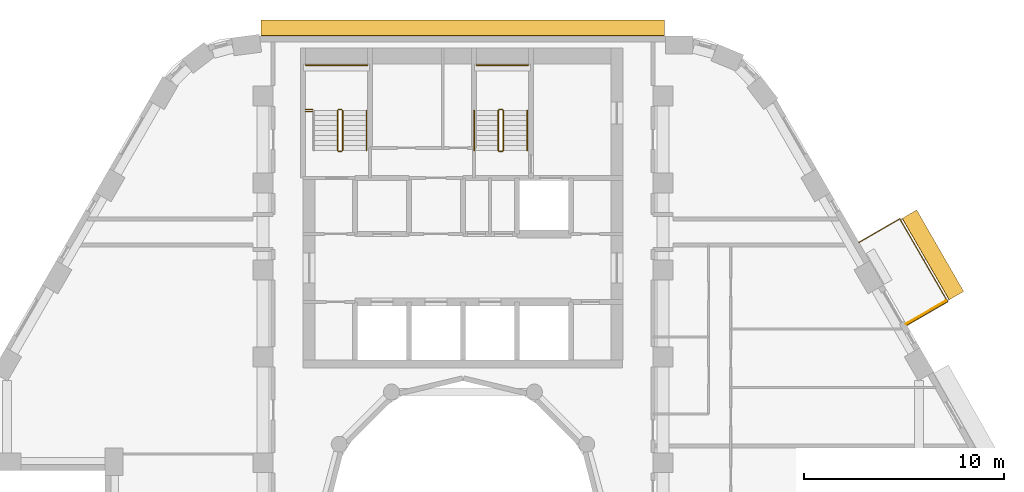
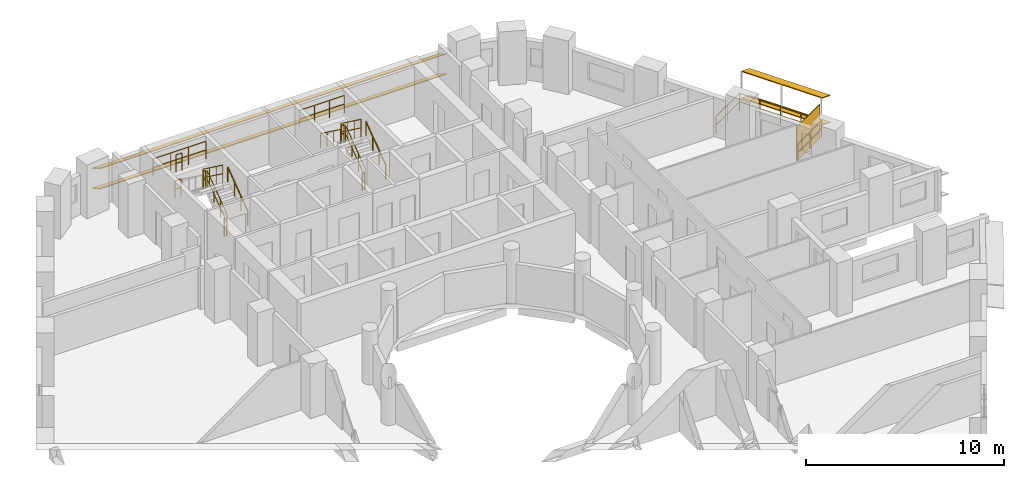
# One storey, part 13 of 13: 16 railings, 5 shading devices.
"""IFC4 building model written with IfcOpenShell, lengths in metres."""

from ifc_helpers import new_model, si_unit, direction, frame, origin, origin_2d, place, context, subcontext, project, spatial, rectangle, circle, extrude, material, layer, layer_set, material_profile, profile_set, type_object, element, save


model = new_model("IFC4")

# Units and contexts
model_context = context("Model", 3, precision=1e-05, world=origin(), true_north=direction((0.0, 1.0)))
body_context = subcontext(model_context, "Body", "Model", "MODEL_VIEW")
ifc_project = project(units=[si_unit("LENGTHUNIT", "METRE"), si_unit("AREAUNIT", "SQUARE_METRE"), si_unit("VOLUMEUNIT", "CUBIC_METRE"), si_unit("PLANEANGLEUNIT", "RADIAN"), si_unit("MASSUNIT", "GRAM", prefix="KILO")], contexts=[model_context])

# Site, building, storey
site_placement = place(None, origin())
site = spatial("IfcSite", under=ifc_project, at=site_placement, CompositionType="ELEMENT")
building_placement = place(site_placement, origin())
building = spatial("IfcBuilding", under=site, at=building_placement, Name="Nakaniwa Court", CompositionType="ELEMENT")
storey_placement = place(building_placement, frame((0.0, 0.0, 81.0)))
storey = spatial("IfcBuildingStorey", under=building, at=storey_placement, Name="L20", CompositionType="ELEMENT", Elevation=81.0)

# Railing
ifc_material_1 = material(Name="Black powder-coated steel flat bar balustrade S275", Category="steel")
railing_type_1 = type_object("IfcRailingType", Name="Black metal balcony guard 1100", PredefinedType="GUARDRAIL", material=ifc_material_1)
railing_1_placement = place(storey_placement, frame((102.210693359375, 89.530029296875, -0.050048828125)))
element("IfcRailing", 1, at=railing_1_placement, inside=storey, type_object=railing_type_1, Name="L20 balcony guard 01", PredefinedType="GUARDRAIL", context=body_context, shape_type="SweptSolid", body=[
    extrude(circle(Radius=0.02392578125, at=origin_2d()), frame((0.0, 0.0, 1.076171875), z_axis=(0.865980564943, 0.500077655111, 0.0), x_axis=(-0.500077655111, 0.865980564943, 0.0)), (0.0, 0.0, 1.0), 2.35986328125),
    extrude(circle(Radius=0.02392578125, at=origin_2d()), frame((0.0, 0.0, 0.550048828125), z_axis=(0.865980564943, 0.500077655111, 0.0), x_axis=(-0.500077655111, 0.865980564943, 0.0)), (0.0, 0.0, 1.0), 2.35986328125),
    extrude(circle(Radius=0.02392578125, at=origin_2d()), frame((2.043701171875, 1.18017578125, 1.076171875), z_axis=(-0.500006494744, 0.86602165401, 0.0), x_axis=(-0.86602165401, -0.500006494744, 0.0)), (0.0, 0.0, 1.0), 4.78662109375),
    extrude(circle(Radius=0.02392578125, at=origin_2d()), frame((2.043701171875, 1.18017578125, 0.550048828125), z_axis=(-0.500006494744, 0.86602165401, 0.0), x_axis=(-0.86602165401, -0.500006494744, 0.0)), (0.0, 0.0, 1.0), 4.78662109375),
    extrude(circle(Radius=0.02392578125, at=origin_2d()), frame((-0.349609375, 5.325439453125, 1.076171875), z_axis=(-0.865980564943, -0.500077655111, 0.0), x_axis=(0.500077655111, -0.865980564943, 0.0)), (0.0, 0.0, 1.0), 2.35986328125),
    extrude(circle(Radius=0.02392578125, at=origin_2d()), frame((-0.349609375, 5.325439453125, 0.550048828125), z_axis=(-0.865980564943, -0.500077655111, 0.0), x_axis=(0.500077655111, -0.865980564943, 0.0)), (0.0, 0.0, 1.0), 2.35986328125),
    extrude(circle(Radius=0.02099609375, at=origin_2d()), origin(), (0.0, 0.0, 1.0), 1.052001953125),
    extrude(circle(Radius=0.02099609375, at=origin_2d()), frame((1.02197265625, 0.590087890625, 0.0)), (0.0, 0.0, 1.0), 1.052001953125),
    extrude(circle(Radius=0.02099609375, at=origin_2d()), frame((2.043701171875, 1.18017578125, 0.0)), (0.0, 0.0, 1.0), 1.052001953125),
    extrude(circle(Radius=0.02099609375, at=origin_2d()), frame((1.4453125, 2.216552734375, 0.0)), (0.0, 0.0, 1.0), 1.052001953125),
    extrude(circle(Radius=0.02099609375, at=origin_2d()), frame((0.84716796875, 3.2529296875, 0.0)), (0.0, 0.0, 1.0), 1.052001953125),
    extrude(circle(Radius=0.02099609375, at=origin_2d()), frame((0.248779296875, 4.2890625, 0.0)), (0.0, 0.0, 1.0), 1.052001953125),
    extrude(circle(Radius=0.02099609375, at=origin_2d()), frame((-0.349609375, 5.325439453125, 0.0)), (0.0, 0.0, 1.0), 1.052001953125),
    extrude(circle(Radius=0.02099609375, at=origin_2d()), frame((-1.37158203125, 4.7353515625, 0.0)), (0.0, 0.0, 1.0), 1.052001953125),
    extrude(circle(Radius=0.02099609375, at=origin_2d()), frame((-2.393310546875, 4.145263671875, 0.0)), (0.0, 0.0, 1.0), 1.052001953125),
])

# Shading devices
ifc_material_2 = material(Name="Black powder-coated aluminium slat screen", Category="aluminium")
ifc_layer = layer(ifc_material_2, 0.0400390625)
ifc_layer_set = layer_set([ifc_layer], Name="Black powder-coated aluminium slat screen")
shading_device_type_1 = type_object("IfcShadingDeviceType", Name="Koshi screen black metal", PredefinedType="USERDEFINED", material=ifc_layer_set)
shading_device_placement = place(storey_placement, frame((103.1708984375, 90.177001953125, -0.050048828125), z_axis=(0.0, 0.0, 1.0), x_axis=(-0.499974304289, 0.866040238702, 0.0)))
element("IfcShadingDevice", 2, at=shading_device_placement, inside=storey, type_object=shading_device_type_1, Name="L20 balcony SCREEN 01 W", ObjectType="KOSHI SCREEN", PredefinedType="USERDEFINED", context=body_context, shape_type="SweptSolid", body=[
    extrude(rectangle(XDim=0.0400390625, YDim=2.31005859375, at=origin_2d()), origin(), (0.0, 0.0, 1.0), 2.10009765625),
])
ifc_material_3 = material(Name="Perforated charcoal ceramic louvre blade")
ifc_material_profile = material_profile(ifc_material_3, rectangle(XDim=0.89990234375, YDim=0.050048828125, at=origin_2d()), Name="Perforated ceramic louvre blade")
ifc_profile_set = profile_set([ifc_material_profile], Name="Perforated charcoal ceramic louvre blade")
shading_device_type_2 = type_object("IfcShadingDeviceType", Name="Perforated ceramic louvre blade", PredefinedType="JALOUSIE", material=ifc_profile_set)
for number, where, z_axis, x_axis, name in (
    (3, (104.689208984375, 91.00732421875, 0.5), (-0.499943973338, 0.866057748376, 0.0), (-0.800133027698, -0.461888004369, 0.382683432365), "L20 perforated ceramic louvre blade 01 1"),
    (4, (104.689208984375, 91.00732421875, 2.14990234375), (-0.499943973338, 0.866057748376, 0.0), (-0.800133027698, -0.461888004369, 0.382683432365), "L20 perforated ceramic louvre blade 01 2"),
):
    element("IfcShadingDevice", number, at=place(storey_placement, frame(where, z_axis=z_axis, x_axis=x_axis)), inside=storey, type_object=shading_device_type_2, Name=name, PredefinedType="JALOUSIE", context=body_context, shape_type="SweptSolid", body=[
        extrude(rectangle(XDim=0.89990234375, YDim=0.050048828125, at=origin_2d()), origin(), (0.0, 0.0, 1.0), 4.70654296875),
    ])
for number, where, z_axis, x_axis, name in (
    (5, (90.07861328125, 104.402099609375, 0.550048828125), (-1.0, 0.0, 0.0), (0.0, -0.866025403784, 0.5), "L20 perforated ceramic louvre blade w08 1"),
    (6, (90.07861328125, 104.402099609375, 1.793212890625), (-1.0, 0.0, 0.0), (0.0, -0.866025403784, 0.5), "L20 perforated ceramic louvre blade w08 2"),
):
    element("IfcShadingDevice", number, at=place(storey_placement, frame(where, z_axis=z_axis, x_axis=x_axis)), inside=storey, type_object=shading_device_type_2, Name=name, PredefinedType="JALOUSIE", context=body_context, shape_type="SweptSolid", body=[
        extrude(rectangle(XDim=0.89990234375, YDim=0.050048828125, at=origin_2d()), origin(), (0.0, 0.0, 1.0), 20.19091796875),
    ])

# Railings
ifc_material_4 = material(Name="Black powder coated steel guard", Category="steel")
railing_type_2 = type_object("IfcRailingType", Name="Stair guard 1100", PredefinedType="GUARDRAIL", material=ifc_material_4)
railing_2_placement = place(storey_placement, frame((73.97509765625, 98.27490234375, 0.183349609375)))
element("IfcRailing", 7, at=railing_2_placement, inside=storey, type_object=railing_type_2, Name="L20 ST1 stair guard 1", PredefinedType="GUARDRAIL", context=body_context, shape_type="SweptSolid", body=[
    extrude(circle(Radius=0.02392578125, at=origin_2d()), frame((0.0, 0.0, 1.076171875), z_axis=(0.0, 0.806426902644, 0.591333789573), x_axis=(-1.0, 0.0, 0.0)), (0.0, 0.0, 1.0), 2.47998046875),
    extrude(circle(Radius=0.02392578125, at=origin_2d()), frame((0.0, 0.0, 0.550048828125), z_axis=(0.0, 0.806426902644, 0.591333789573), x_axis=(-1.0, 0.0, 0.0)), (0.0, 0.0, 1.0), 2.47998046875),
    extrude(circle(Radius=0.02099609375, at=origin_2d()), origin(), (0.0, 0.0, 1.0), 1.052001953125),
    extrude(circle(Radius=0.02099609375, at=origin_2d()), frame((0.0, 0.666748046875, 0.48876953125)), (0.0, 0.0, 1.0), 1.052001953125),
    extrude(circle(Radius=0.02099609375, at=origin_2d()), frame((0.0, 1.333251953125, 0.977783203125)), (0.0, 0.0, 1.0), 1.052001953125),
    extrude(circle(Radius=0.02099609375, at=origin_2d()), frame((0.0, 2.0, 1.466552734375)), (0.0, 0.0, 1.0), 1.052001953125),
])
railing_3_placement = place(storey_placement, frame((73.925048828125, 100.324951171875, 1.64990234375)))
element("IfcRailing", 8, at=railing_3_placement, inside=storey, type_object=railing_type_2, Name="L20 ST1 stair guard 2", PredefinedType="GUARDRAIL", context=body_context, shape_type="SweptSolid", body=[
    extrude(circle(Radius=0.02392578125, at=origin_2d()), frame((0.0, 0.0, 1.076171875), z_axis=(-1.0, 0.0, 0.0), x_axis=(0.0, -1.0, 0.0)), (0.0, 0.0, 1.0), 0.150146484375),
    extrude(circle(Radius=0.02392578125, at=origin_2d()), frame((0.0, 0.0, 0.550048828125), z_axis=(-1.0, 0.0, 0.0), x_axis=(0.0, -1.0, 0.0)), (0.0, 0.0, 1.0), 0.150146484375),
    extrude(circle(Radius=0.02099609375, at=origin_2d()), origin(), (0.0, 0.0, 1.0), 1.052001953125),
    extrude(circle(Radius=0.02099609375, at=origin_2d()), frame((-0.150146484375, 0.0, 0.0)), (0.0, 0.0, 1.0), 1.052001953125),
])
railing_4_placement = place(storey_placement, frame((73.72509765625, 100.27490234375, 1.833251953125)))
element("IfcRailing", 9, at=railing_4_placement, inside=storey, type_object=railing_type_2, Name="L20 ST1 stair guard 3", PredefinedType="GUARDRAIL", context=body_context, shape_type="SweptSolid", body=[
    extrude(circle(Radius=0.02392578125, at=origin_2d()), frame((0.0, 0.0, 1.076171875), z_axis=(0.0, -0.806379959628, 0.591397802423), x_axis=(1.0, 0.0, 0.0)), (0.0, 0.0, 1.0), 2.480224609375),
    extrude(circle(Radius=0.02392578125, at=origin_2d()), frame((0.0, 0.0, 0.550048828125), z_axis=(0.0, -0.806379959628, 0.591397802423), x_axis=(1.0, 0.0, 0.0)), (0.0, 0.0, 1.0), 2.480224609375),
    extrude(circle(Radius=0.02099609375, at=origin_2d()), origin(), (0.0, 0.0, 1.0), 1.052001953125),
    extrude(circle(Radius=0.02099609375, at=origin_2d()), frame((0.0, -0.666748046875, 0.489013671875)), (0.0, 0.0, 1.0), 1.052001953125),
    extrude(circle(Radius=0.02099609375, at=origin_2d()), frame((0.0, -1.333251953125, 0.977783203125)), (0.0, 0.0, 1.0), 1.052001953125),
    extrude(circle(Radius=0.02099609375, at=origin_2d()), frame((0.0, -2.0, 1.466796875)), (0.0, 0.0, 1.0), 1.052001953125),
])
railing_5_placement = place(storey_placement, frame((73.925048828125, 98.22509765625, 0.0)))
element("IfcRailing", 10, at=railing_5_placement, inside=storey, type_object=railing_type_2, Name="L20 ST1 stair guard 4", PredefinedType="GUARDRAIL", context=body_context, shape_type="SweptSolid", body=[
    extrude(circle(Radius=0.02392578125, at=origin_2d()), frame((0.0, 0.0, 1.076171875), z_axis=(-1.0, 0.0, 0.0), x_axis=(0.0, -1.0, 0.0)), (0.0, 0.0, 1.0), 0.150146484375),
    extrude(circle(Radius=0.02392578125, at=origin_2d()), frame((0.0, 0.0, 0.550048828125), z_axis=(-1.0, 0.0, 0.0), x_axis=(0.0, -1.0, 0.0)), (0.0, 0.0, 1.0), 0.150146484375),
    extrude(circle(Radius=0.02099609375, at=origin_2d()), origin(), (0.0, 0.0, 1.0), 1.052001953125),
    extrude(circle(Radius=0.02099609375, at=origin_2d()), frame((-0.150146484375, 0.0, 0.0)), (0.0, 0.0, 1.0), 1.052001953125),
])
railing_6_placement = place(storey_placement, frame((72.125, 102.550048828125, 1.64990234375)))
element("IfcRailing", 11, at=railing_6_placement, inside=storey, type_object=railing_type_2, Name="L20 ST1 landing end guard 1", PredefinedType="GUARDRAIL", context=body_context, shape_type="SweptSolid", body=[
    extrude(circle(Radius=0.02392578125, at=origin_2d()), frame((0.0, 0.0, 1.076171875), z_axis=(1.0, 0.0, 0.0), x_axis=(0.0, 1.0, 0.0)), (0.0, 0.0, 1.0), 3.10009765625),
    extrude(circle(Radius=0.02392578125, at=origin_2d()), frame((0.0, 0.0, 0.550048828125), z_axis=(1.0, 0.0, 0.0), x_axis=(0.0, 1.0, 0.0)), (0.0, 0.0, 1.0), 3.10009765625),
    extrude(circle(Radius=0.02099609375, at=origin_2d()), origin(), (0.0, 0.0, 1.0), 1.052001953125),
    extrude(circle(Radius=0.02099609375, at=origin_2d()), frame((1.033447265625, 0.0, 0.0)), (0.0, 0.0, 1.0), 1.052001953125),
    extrude(circle(Radius=0.02099609375, at=origin_2d()), frame((2.066650390625, 0.0, 0.0)), (0.0, 0.0, 1.0), 1.052001953125),
    extrude(circle(Radius=0.02099609375, at=origin_2d()), frame((3.10009765625, 0.0, 0.0)), (0.0, 0.0, 1.0), 1.052001953125),
])
for number, where, name in (
    (12, (72.125, 100.324951171875, 1.64990234375), "L20 ST1 landing side guard 1W"),
    (13, (72.125, 100.22509765625, 3.300048828125), "L20 ST1 floor edge guard 1W"),
):
    element("IfcRailing", number, at=place(storey_placement, frame(where)), inside=storey, type_object=railing_type_2, Name=name, PredefinedType="GUARDRAIL", context=body_context, shape_type="SweptSolid", body=[
        extrude(circle(Radius=0.02392578125, at=origin_2d()), frame((0.0, 0.0, 1.076171875), z_axis=(1.0, 0.0, 0.0), x_axis=(0.0, 1.0, 0.0)), (0.0, 0.0, 1.0), 0.35009765625),
        extrude(circle(Radius=0.02392578125, at=origin_2d()), frame((0.0, 0.0, 0.550048828125), z_axis=(1.0, 0.0, 0.0), x_axis=(0.0, 1.0, 0.0)), (0.0, 0.0, 1.0), 0.35009765625),
        extrude(circle(Radius=0.02099609375, at=origin_2d()), origin(), (0.0, 0.0, 1.0), 1.052001953125),
        extrude(circle(Radius=0.02099609375, at=origin_2d()), frame((0.35009765625, 0.0, 0.0)), (0.0, 0.0, 1.0), 1.052001953125),
    ])
railing_7_placement = place(storey_placement, frame((82.02490234375, 98.27490234375, 0.183349609375)))
element("IfcRailing", 14, at=railing_7_placement, inside=storey, type_object=railing_type_2, Name="L20 ST2 stair guard 1", PredefinedType="GUARDRAIL", context=body_context, shape_type="SweptSolid", body=[
    extrude(circle(Radius=0.02392578125, at=origin_2d()), frame((0.0, 0.0, 1.076171875), z_axis=(0.0, 0.806426902644, 0.591333789573), x_axis=(-1.0, 0.0, 0.0)), (0.0, 0.0, 1.0), 2.47998046875),
    extrude(circle(Radius=0.02392578125, at=origin_2d()), frame((0.0, 0.0, 0.550048828125), z_axis=(0.0, 0.806426902644, 0.591333789573), x_axis=(-1.0, 0.0, 0.0)), (0.0, 0.0, 1.0), 2.47998046875),
    extrude(circle(Radius=0.02099609375, at=origin_2d()), origin(), (0.0, 0.0, 1.0), 1.052001953125),
    extrude(circle(Radius=0.02099609375, at=origin_2d()), frame((0.0, 0.666748046875, 0.48876953125)), (0.0, 0.0, 1.0), 1.052001953125),
    extrude(circle(Radius=0.02099609375, at=origin_2d()), frame((0.0, 1.333251953125, 0.977783203125)), (0.0, 0.0, 1.0), 1.052001953125),
    extrude(circle(Radius=0.02099609375, at=origin_2d()), frame((0.0, 2.0, 1.466552734375)), (0.0, 0.0, 1.0), 1.052001953125),
])
railing_8_placement = place(storey_placement, frame((81.97509765625, 100.324951171875, 1.64990234375)))
element("IfcRailing", 15, at=railing_8_placement, inside=storey, type_object=railing_type_2, Name="L20 ST2 stair guard 2", PredefinedType="GUARDRAIL", context=body_context, shape_type="SweptSolid", body=[
    extrude(circle(Radius=0.02392578125, at=origin_2d()), frame((0.0, 0.0, 1.076171875), z_axis=(-1.0, 0.0, 0.0), x_axis=(0.0, -1.0, 0.0)), (0.0, 0.0, 1.0), 0.150146484375),
    extrude(circle(Radius=0.02392578125, at=origin_2d()), frame((0.0, 0.0, 0.550048828125), z_axis=(-1.0, 0.0, 0.0), x_axis=(0.0, -1.0, 0.0)), (0.0, 0.0, 1.0), 0.150146484375),
    extrude(circle(Radius=0.02099609375, at=origin_2d()), origin(), (0.0, 0.0, 1.0), 1.052001953125),
    extrude(circle(Radius=0.02099609375, at=origin_2d()), frame((-0.150146484375, 0.0, 0.0)), (0.0, 0.0, 1.0), 1.052001953125),
])
railing_9_placement = place(storey_placement, frame((81.77490234375, 100.27490234375, 1.833251953125)))
element("IfcRailing", 16, at=railing_9_placement, inside=storey, type_object=railing_type_2, Name="L20 ST2 stair guard 3", PredefinedType="GUARDRAIL", context=body_context, shape_type="SweptSolid", body=[
    extrude(circle(Radius=0.02392578125, at=origin_2d()), frame((0.0, 0.0, 1.076171875), z_axis=(0.0, -0.806379959628, 0.591397802423), x_axis=(1.0, 0.0, 0.0)), (0.0, 0.0, 1.0), 2.480224609375),
    extrude(circle(Radius=0.02392578125, at=origin_2d()), frame((0.0, 0.0, 0.550048828125), z_axis=(0.0, -0.806379959628, 0.591397802423), x_axis=(1.0, 0.0, 0.0)), (0.0, 0.0, 1.0), 2.480224609375),
    extrude(circle(Radius=0.02099609375, at=origin_2d()), origin(), (0.0, 0.0, 1.0), 1.052001953125),
    extrude(circle(Radius=0.02099609375, at=origin_2d()), frame((0.0, -0.666748046875, 0.489013671875)), (0.0, 0.0, 1.0), 1.052001953125),
    extrude(circle(Radius=0.02099609375, at=origin_2d()), frame((0.0, -1.333251953125, 0.977783203125)), (0.0, 0.0, 1.0), 1.052001953125),
    extrude(circle(Radius=0.02099609375, at=origin_2d()), frame((0.0, -2.0, 1.466796875)), (0.0, 0.0, 1.0), 1.052001953125),
])
railing_10_placement = place(storey_placement, frame((81.97509765625, 98.22509765625, 0.0)))
element("IfcRailing", 17, at=railing_10_placement, inside=storey, type_object=railing_type_2, Name="L20 ST2 stair guard 4", PredefinedType="GUARDRAIL", context=body_context, shape_type="SweptSolid", body=[
    extrude(circle(Radius=0.02392578125, at=origin_2d()), frame((0.0, 0.0, 1.076171875), z_axis=(-1.0, 0.0, 0.0), x_axis=(0.0, -1.0, 0.0)), (0.0, 0.0, 1.0), 0.150146484375),
    extrude(circle(Radius=0.02392578125, at=origin_2d()), frame((0.0, 0.0, 0.550048828125), z_axis=(-1.0, 0.0, 0.0), x_axis=(0.0, -1.0, 0.0)), (0.0, 0.0, 1.0), 0.150146484375),
    extrude(circle(Radius=0.02099609375, at=origin_2d()), origin(), (0.0, 0.0, 1.0), 1.052001953125),
    extrude(circle(Radius=0.02099609375, at=origin_2d()), frame((-0.150146484375, 0.0, 0.0)), (0.0, 0.0, 1.0), 1.052001953125),
])
railing_11_placement = place(storey_placement, frame((80.675048828125, 102.550048828125, 1.64990234375)))
element("IfcRailing", 18, at=railing_11_placement, inside=storey, type_object=railing_type_2, Name="L20 ST2 landing end guard 1", PredefinedType="GUARDRAIL", context=body_context, shape_type="SweptSolid", body=[
    extrude(circle(Radius=0.02392578125, at=origin_2d()), frame((0.0, 0.0, 1.076171875), z_axis=(1.0, 0.0, 0.0), x_axis=(0.0, 1.0, 0.0)), (0.0, 0.0, 1.0), 2.599853515625),
    extrude(circle(Radius=0.02392578125, at=origin_2d()), frame((0.0, 0.0, 0.550048828125), z_axis=(1.0, 0.0, 0.0), x_axis=(0.0, 1.0, 0.0)), (0.0, 0.0, 1.0), 2.599853515625),
    extrude(circle(Radius=0.02099609375, at=origin_2d()), origin(), (0.0, 0.0, 1.0), 1.052001953125),
    extrude(circle(Radius=0.02099609375, at=origin_2d()), frame((0.86669921875, 0.0, 0.0)), (0.0, 0.0, 1.0), 1.052001953125),
    extrude(circle(Radius=0.02099609375, at=origin_2d()), frame((1.733154296875, 0.0, 0.0)), (0.0, 0.0, 1.0), 1.052001953125),
    extrude(circle(Radius=0.02099609375, at=origin_2d()), frame((2.599853515625, 0.0, 0.0)), (0.0, 0.0, 1.0), 1.052001953125),
])
ifc_material_5 = material(Name="Black powder coated steel handrail", Category="steel")
railing_type_3 = type_object("IfcRailingType", Name="Stair handrail 900", PredefinedType="HANDRAIL", material=ifc_material_5)
for number, where, name in (
    (19, (75.175048828125, 98.27490234375, 0.183349609375), "L20 ST1 stair handrail 1"),
    (20, (83.22509765625, 98.27490234375, 0.183349609375), "L20 ST2 stair handrail 1"),
):
    element("IfcRailing", number, at=place(storey_placement, frame(where)), inside=storey, type_object=railing_type_3, Name=name, PredefinedType="HANDRAIL", context=body_context, shape_type="SweptSolid", body=[
        extrude(circle(Radius=0.02392578125, at=origin_2d()), frame((0.0, 0.0, 0.8759765625), z_axis=(0.0, 0.806426902644, 0.591333789573), x_axis=(-1.0, 0.0, 0.0)), (0.0, 0.0, 1.0), 2.47998046875),
        extrude(circle(Radius=0.02099609375, at=origin_2d()), origin(), (0.0, 0.0, 1.0), 0.851806640625),
        extrude(circle(Radius=0.02099609375, at=origin_2d()), frame((0.0, 0.666748046875, 0.48876953125)), (0.0, 0.0, 1.0), 0.851806640625),
        extrude(circle(Radius=0.02099609375, at=origin_2d()), frame((0.0, 1.333251953125, 0.977783203125)), (0.0, 0.0, 1.0), 0.851806640625),
        extrude(circle(Radius=0.02099609375, at=origin_2d()), frame((0.0, 2.0, 1.466552734375)), (0.0, 0.0, 1.0), 0.851806640625),
    ])
railing_12_placement = place(storey_placement, frame((80.574951171875, 100.27490234375, 1.833251953125)))
element("IfcRailing", 21, at=railing_12_placement, inside=storey, type_object=railing_type_3, Name="L20 ST2 stair handrail 2", PredefinedType="HANDRAIL", context=body_context, shape_type="SweptSolid", body=[
    extrude(circle(Radius=0.02392578125, at=origin_2d()), frame((0.0, 0.0, 0.8759765625), z_axis=(0.0, -0.806379959628, 0.591397802423), x_axis=(1.0, 0.0, 0.0)), (0.0, 0.0, 1.0), 2.480224609375),
    extrude(circle(Radius=0.02099609375, at=origin_2d()), origin(), (0.0, 0.0, 1.0), 0.851806640625),
    extrude(circle(Radius=0.02099609375, at=origin_2d()), frame((0.0, -0.666748046875, 0.489013671875)), (0.0, 0.0, 1.0), 0.851806640625),
    extrude(circle(Radius=0.02099609375, at=origin_2d()), frame((0.0, -1.333251953125, 0.977783203125)), (0.0, 0.0, 1.0), 0.851806640625),
    extrude(circle(Radius=0.02099609375, at=origin_2d()), frame((0.0, -2.0, 1.466796875)), (0.0, 0.0, 1.0), 0.851806640625),
])

save(model, "model.ifc")
